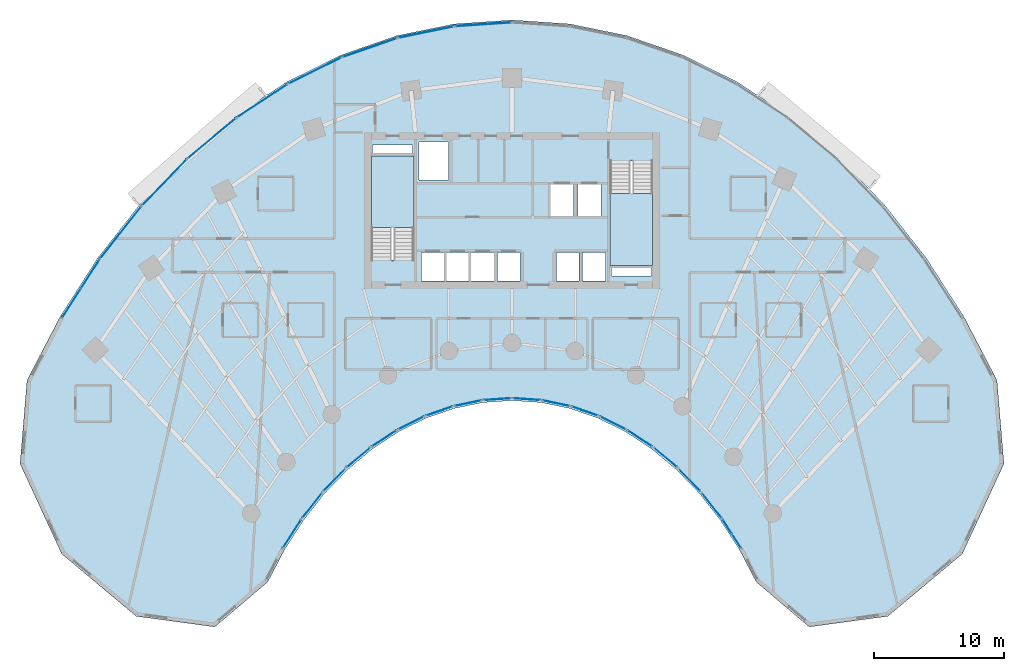
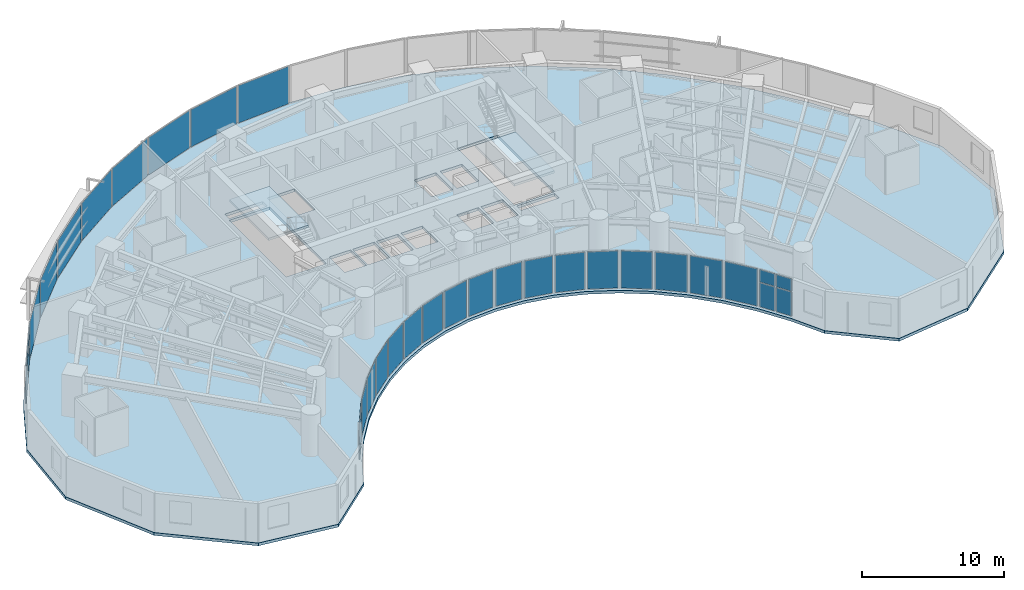
# One storey, part 9 of 17: 33 plates, 3 slabs, 29 elements without a shape of their own.
"""IFC4 building model written with IfcOpenShell, lengths in metres."""

from ifc_helpers import new_model, si_unit, direction, frame, origin, origin_2d, place, context, subcontext, project, spatial, polyline, rectangle, outline, extrude, source, transform, mapped, material, layer, layer_set, type_object, type_shapes, element, aggregate, save


model = new_model("IFC4")

# Units and contexts
model_context = context("Model", 3, precision=1e-05, world=origin(), true_north=direction((0.0, 1.0)))
body_context = subcontext(model_context, "Body", "Model", "MODEL_VIEW")
ifc_project = project(units=[si_unit("LENGTHUNIT", "METRE"), si_unit("AREAUNIT", "SQUARE_METRE"), si_unit("VOLUMEUNIT", "CUBIC_METRE"), si_unit("PLANEANGLEUNIT", "RADIAN"), si_unit("MASSUNIT", "GRAM", prefix="KILO")], contexts=[model_context])

# Site, building, storey
site_placement = place(None, origin())
site = spatial("IfcSite", under=ifc_project, at=site_placement, CompositionType="ELEMENT")
building_placement = place(site_placement, origin())
building = spatial("IfcBuilding", under=site, at=building_placement, Name="Breltana Convention Tower", CompositionType="ELEMENT")
storey_placement = place(building_placement, frame((0.0, 0.0, 78.60009765625)))
storey = spatial("IfcBuildingStorey", under=building, at=storey_placement, Name="L18", CompositionType="ELEMENT", Elevation=78.60009765625)

# Slab
ifc_material_1 = material(Name="Concrete C40/50", Category="concrete")
ifc_layer_1 = layer(ifc_material_1, 0.239990234375, Name="Concrete C40/50")
ifc_layer_set_1 = layer_set([ifc_layer_1], Name="Concrete C40/50")
slab_type_1 = type_object("IfcSlabType", Name="SL-HTL-240", PredefinedType="FLOOR", material=ifc_layer_set_1)
slab_1_placement = place(storey_placement, frame((0.0, 0.0, -0.239990234375)))
element("IfcSlab", 1, at=slab_1_placement, inside=storey, type_object=slab_type_1, Name="L18 Suspended Structural Floor Slab", PredefinedType="FLOOR", context=body_context, shape_type="SweptSolid", body=[
    extrude(outline(polyline([(85.229248046875, 53.173095703125), (82.687744140625, 58.054931640625), (79.791015625, 62.567626953125), (76.569091796875, 66.664794921875), (73.05419921875, 70.304931640625), (69.283203125, 73.450439453125), (65.2939453125, 76.069091796875), (61.1279296875, 78.134033203125), (56.827392578125, 79.62451171875), (52.436279296875, 80.52490234375), (48.0, 80.825927734375), (43.563720703125, 80.52490234375), (39.172607421875, 79.62451171875), (34.8720703125, 78.134033203125), (30.7060546875, 76.069091796875), (26.716796875, 73.450439453125), (22.94580078125, 70.304931640625), (19.430908203125, 66.664794921875), (16.208984375, 62.567626953125), (13.312255859375, 58.054931640625), (10.770751953125, 53.173095703125), (10.234619140625, 46.75927734375), (13.433837890625, 39.8388671875), (19.14697265625, 35.055419921875), (25.191162109375, 34.235595703125), (29.258056640625, 37.693115234375), (30.53759765625, 40.150634765625), (31.995849609375, 42.42236328125), (33.617919921875, 44.485107421875), (35.38720703125, 46.3173828125), (37.28564453125, 47.90087890625), (39.2939453125, 49.21923828125), (41.39111328125, 50.2587890625), (43.55615234375, 51.009033203125), (45.7666015625, 51.46240234375), (48.0, 51.614013671875), (50.2333984375, 51.46240234375), (52.44384765625, 51.009033203125), (54.60888671875, 50.2587890625), (56.7060546875, 49.21923828125), (58.71435546875, 47.90087890625), (60.61279296875, 46.3173828125), (62.382080078125, 44.485107421875), (64.004150390625, 42.42236328125), (65.46240234375, 40.150634765625), (66.741943359375, 37.693115234375), (70.808837890625, 34.235595703125), (76.85302734375, 35.055419921875), (82.566162109375, 39.8388671875), (85.765380859375, 46.75927734375), (85.229248046875, 53.173095703125)]), holes=[polyline([(37.199951171875, 62.385009765625), (40.469970703125, 62.385009765625), (40.469970703125, 70.39990234375), (37.199951171875, 70.39990234375), (37.199951171875, 62.385009765625)]), polyline([(55.530029296875, 62.0), (58.800048828125, 62.0), (58.800048828125, 70.014892578125), (55.530029296875, 70.014892578125), (55.530029296875, 62.0)]), polyline([(41.0400390625, 60.800048828125), (42.800048828125, 60.800048828125), (42.800048828125, 62.97998046875), (41.0400390625, 62.97998046875), (41.0400390625, 60.800048828125)]), polyline([(42.93994140625, 60.800048828125), (44.699951171875, 60.800048828125), (44.699951171875, 62.97998046875), (42.93994140625, 62.97998046875), (42.93994140625, 60.800048828125)]), polyline([(44.8701171875, 60.800048828125), (46.6298828125, 60.800048828125), (46.6298828125, 62.97998046875), (44.8701171875, 62.97998046875), (44.8701171875, 60.800048828125)]), polyline([(46.8701171875, 60.800048828125), (48.6298828125, 60.800048828125), (48.6298828125, 62.97998046875), (46.8701171875, 62.97998046875), (46.8701171875, 60.800048828125)]), polyline([(51.39990234375, 60.800048828125), (53.159912109375, 60.800048828125), (53.159912109375, 62.97998046875), (51.39990234375, 62.97998046875), (51.39990234375, 60.800048828125)]), polyline([(53.39990234375, 60.800048828125), (55.159912109375, 60.800048828125), (55.159912109375, 62.97998046875), (53.39990234375, 62.97998046875), (53.39990234375, 60.800048828125)]), polyline([(50.969970703125, 65.800048828125), (52.72998046875, 65.800048828125), (52.72998046875, 68.179931640625), (50.969970703125, 68.179931640625), (50.969970703125, 65.800048828125)]), polyline([(53.070068359375, 65.800048828125), (54.830078125, 65.800048828125), (54.830078125, 68.179931640625), (53.070068359375, 68.179931640625), (53.070068359375, 65.800048828125)]), polyline([(40.8798828125, 68.550048828125), (43.1201171875, 68.550048828125), (43.1201171875, 71.449951171875), (40.8798828125, 71.449951171875), (40.8798828125, 68.550048828125)]), polyline([(37.300048828125, 70.60009765625), (40.3798828125, 70.60009765625), (40.3798828125, 71.219970703125), (37.300048828125, 71.219970703125), (37.300048828125, 70.60009765625)]), polyline([(55.6201171875, 61.179931640625), (58.699951171875, 61.179931640625), (58.699951171875, 61.800048828125), (55.6201171875, 61.800048828125), (55.6201171875, 61.179931640625)])]), origin(), (0.0, 0.0, 1.0), 0.239990234375),
])

# Stair, slab
stair_type = type_object("IfcStairType", Name="ST-DOG-1560-R180", PredefinedType="HALF_TURN_STAIR", material=ifc_material_1)
stair_1_placement = place(storey_placement, origin())
stair_1 = element("IfcStair", 2, at=stair_1_placement, inside=storey, type_object=stair_type, Name="L18 Protected Core Exit Stair ST-1", PredefinedType="HALF_TURN_STAIR")
ifc_layer_2 = layer(ifc_material_1, 0.199951171875, Name="Concrete C40/50")
ifc_layer_set_2 = layer_set([ifc_layer_2], Name="Concrete C40/50")
slab_type_2 = type_object("IfcSlabType", Name="SL-STAIR-LANDING-200", PredefinedType="LANDING", material=ifc_layer_set_2)
slab_2_placement = place(storey_placement, frame((0.0, 0.0, 1.599853515625)))
slab_2 = element("IfcSlab", 3, at=slab_2_placement, type_object=slab_type_2, Name="ST-1 landing 1", PredefinedType="LANDING", context=body_context, shape_type="SweptSolid", body=[
    extrude(outline(polyline([(40.469970703125, 64.8798828125), (40.469970703125, 70.39990234375), (37.199951171875, 70.39990234375), (37.199951171875, 64.8798828125), (40.469970703125, 64.8798828125)])), origin(), (0.0, 0.0, 1.0), 0.199951171875),
])
aggregate(stair_1, [slab_2])

stair_2_placement = place(storey_placement, origin())
stair_2 = element("IfcStair", 4, at=stair_2_placement, inside=storey, type_object=stair_type, Name="L18 Protected Core Exit Stair ST-2", PredefinedType="HALF_TURN_STAIR")
slab_3_placement = place(storey_placement, frame((0.0, 0.0, 1.599853515625)))
slab_3 = element("IfcSlab", 5, at=slab_3_placement, type_object=slab_type_2, Name="ST-2 landing 1", PredefinedType="LANDING", context=body_context, shape_type="SweptSolid", body=[
    extrude(outline(polyline([(55.530029296875, 67.52001953125), (55.530029296875, 62.0), (58.800048828125, 62.0), (58.800048828125, 67.52001953125), (55.530029296875, 67.52001953125)])), origin(), (0.0, 0.0, 1.0), 0.199951171875),
])
aggregate(stair_2, [slab_3])

# Curtain wall, plates
ifc_material_2 = material(Name="Aluminium Anodised Bronze Frame", Category="aluminium")
ifc_layer_3 = layer(ifc_material_2, 0.18994140625, Name="Aluminium Anodised Bronze Frame")
ifc_layer_set_3 = layer_set([ifc_layer_3], Name="Aluminium Anodised Bronze Frame")
curtain_wall_type_1 = type_object("IfcCurtainWallType", Name="CW-SYS-1", PredefinedType="NOTDEFINED", material=ifc_layer_set_3)
curtain_wall_1_placement = place(storey_placement, origin())
curtain_wall_1 = element("IfcCurtainWall", 6, at=curtain_wall_1_placement, inside=storey, type_object=curtain_wall_type_1, Name="L18 inner south-court glazing 1", PredefinedType="NOTDEFINED")
ifc_material_3 = material(Name="Glass Low-E Double Glazing", Category="glass")
ifc_layer_4 = layer(ifc_material_3, 0.028076171875, Name="Glass Low-E Double Glazing")
ifc_layer_set_4 = layer_set([ifc_layer_4], Name="Glass Low-E Double Glazing")
plate_type_1 = type_object("IfcPlateType", Name="CWP-IGU-28", PredefinedType="CURTAIN_PANEL", material=ifc_layer_set_4)
shared_shape_1 = source(origin(), body_context, "Body", "SweptSolid", [
    extrude(rectangle(XDim=1.229736328125, YDim=0.028076171875, at=origin_2d()), origin(), (0.0, 0.0, 1.0), 2.06396484375),
])
plate_1_placement = place(storey_placement, frame((65.238525390625, 40.83251953125, 0.079833984375), z_axis=(0.0, 0.0, 1.0), x_axis=(-0.540169576197, 0.841556194767, 0.0)))
plate_1 = element("IfcPlate", 7, at=plate_1_placement, type_object=plate_type_1, Name="CW-01 panel 1.1", PredefinedType="CURTAIN_PANEL", context=body_context, shape_type="MappedRepresentation", body=[
    mapped(shared_shape_1, transform((0.0, 0.0, 0.0), scale=1.0)),
])
plate_2_placement = place(storey_placement, frame((64.531005859375, 41.934814453125, 0.079833984375), z_axis=(0.0, 0.0, 1.0), x_axis=(-0.540169576197, 0.841556194767, 0.0)))
plate_2 = element("IfcPlate", 8, at=plate_2_placement, type_object=plate_type_1, Name="CW-01 panel 2.1", PredefinedType="CURTAIN_PANEL", context=body_context, shape_type="MappedRepresentation", body=[
    mapped(shared_shape_1, transform((0.0, 0.0, 0.0), scale=1.0)),
])
shared_shape_2 = source(origin(), body_context, "Body", "SweptSolid", [
    extrude(rectangle(XDim=1.229736328125, YDim=0.028076171875, at=origin_2d()), origin(), (0.0, 0.0, 1.0), 1.055908203125),
])
plate_3_placement = place(storey_placement, frame((65.238525390625, 40.83251953125, 2.22412109375), z_axis=(0.0, 0.0, 1.0), x_axis=(-0.540169576197, 0.841556194767, 0.0)))
plate_3 = element("IfcPlate", 9, at=plate_3_placement, type_object=plate_type_1, Name="CW-01 panel 1.2", PredefinedType="CURTAIN_PANEL", context=body_context, shape_type="MappedRepresentation", body=[
    mapped(shared_shape_2, transform((0.0, 0.0, 0.0), scale=1.0)),
])
plate_4_placement = place(storey_placement, frame((64.531005859375, 41.934814453125, 2.22412109375), z_axis=(0.0, 0.0, 1.0), x_axis=(-0.540169576197, 0.841556194767, 0.0)))
plate_4 = element("IfcPlate", 10, at=plate_4_placement, type_object=plate_type_1, Name="CW-01 panel 2.2", PredefinedType="CURTAIN_PANEL", context=body_context, shape_type="MappedRepresentation", body=[
    mapped(shared_shape_2, transform((0.0, 0.0, 0.0), scale=1.0)),
])
aggregate(curtain_wall_1, [plate_1, plate_3, plate_2, plate_4])

# Curtain wall, plate
curtain_wall_2_placement = place(storey_placement, origin())
curtain_wall_2 = element("IfcCurtainWall", 11, at=curtain_wall_2_placement, inside=storey, type_object=curtain_wall_type_1, Name="L18 inner south-court glazing 2", PredefinedType="NOTDEFINED")
shared_shape_3 = source(origin(), body_context, "Body", "SweptSolid", [
    extrude(rectangle(XDim=2.464111328125, YDim=0.028076171875, at=origin_2d()), origin(), (0.0, 0.0, 1.0), 3.199951171875),
])
plate_5_placement = place(storey_placement, frame((63.334716796875, 43.56494140625, 0.080078125), z_axis=(0.0, 0.0, 1.0), x_axis=(-0.61815305034, 0.786057762734, 0.0)))
plate_5 = element("IfcPlate", 12, at=plate_5_placement, type_object=plate_type_1, Name="CW-01 panel 1.1", PredefinedType="CURTAIN_PANEL", context=body_context, shape_type="MappedRepresentation", body=[
    mapped(shared_shape_3, transform((0.0, 0.0, 0.0), scale=1.0)),
])
aggregate(curtain_wall_2, [plate_5])

curtain_wall_3_placement = place(storey_placement, origin())
curtain_wall_3 = element("IfcCurtainWall", 13, at=curtain_wall_3_placement, inside=storey, type_object=curtain_wall_type_1, Name="L18 inner south-court glazing 17", PredefinedType="NOTDEFINED")
plate_6_placement = place(storey_placement, frame((32.665283203125, 43.56494140625, 0.080078125), z_axis=(0.0, 0.0, 1.0), x_axis=(-0.61815305034, -0.786057762734, 0.0)))
plate_6 = element("IfcPlate", 14, at=plate_6_placement, type_object=plate_type_1, Name="CW-01 panel 1.1", PredefinedType="CURTAIN_PANEL", context=body_context, shape_type="MappedRepresentation", body=[
    mapped(shared_shape_3, transform((0.0, 0.0, 0.0), scale=1.0)),
])
aggregate(curtain_wall_3, [plate_6])

curtain_wall_4_placement = place(storey_placement, origin())
curtain_wall_4 = element("IfcCurtainWall", 15, at=curtain_wall_4_placement, inside=storey, type_object=curtain_wall_type_1, Name="L18 inner south-court glazing 3", PredefinedType="NOTDEFINED")
shared_shape_4 = source(origin(), body_context, "Body", "SweptSolid", [
    extrude(rectangle(XDim=2.38720703125, YDim=0.028076171875, at=origin_2d()), origin(), (0.0, 0.0, 1.0), 3.199951171875),
])
plate_7_placement = place(storey_placement, frame((61.626953125, 45.5263671875, 0.080078125), z_axis=(0.0, 0.0, 1.0), x_axis=(-0.694612029111, 0.719384548773, 0.0)))
plate_7 = element("IfcPlate", 16, at=plate_7_placement, type_object=plate_type_1, Name="CW-01 panel 1.1", PredefinedType="CURTAIN_PANEL", context=body_context, shape_type="MappedRepresentation", body=[
    mapped(shared_shape_4, transform((0.0, 0.0, 0.0), scale=1.0)),
])
aggregate(curtain_wall_4, [plate_7])

curtain_wall_5_placement = place(storey_placement, origin())
curtain_wall_5 = element("IfcCurtainWall", 17, at=curtain_wall_5_placement, inside=storey, type_object=curtain_wall_type_1, Name="L18 inner south-court glazing 16", PredefinedType="NOTDEFINED")
plate_8_placement = place(storey_placement, frame((34.373046875, 45.5263671875, 0.080078125), z_axis=(0.0, 0.0, 1.0), x_axis=(-0.694612029111, -0.719384548773, 0.0)))
plate_8 = element("IfcPlate", 18, at=plate_8_placement, type_object=plate_type_1, Name="CW-01 panel 1.1", PredefinedType="CURTAIN_PANEL", context=body_context, shape_type="MappedRepresentation", body=[
    mapped(shared_shape_4, transform((0.0, 0.0, 0.0), scale=1.0)),
])
aggregate(curtain_wall_5, [plate_8])

curtain_wall_6_placement = place(storey_placement, origin())
curtain_wall_6 = element("IfcCurtainWall", 19, at=curtain_wall_6_placement, inside=storey, type_object=curtain_wall_type_1, Name="L18 inner south-court glazing 4", PredefinedType="NOTDEFINED")
shared_shape_5 = source(origin(), body_context, "Body", "SweptSolid", [
    extrude(rectangle(XDim=2.312255859375, YDim=0.028076171875, at=origin_2d()), origin(), (0.0, 0.0, 1.0), 3.199951171875),
])
plate_9_placement = place(storey_placement, frame((59.77880859375, 47.24755859375, 0.080078125), z_axis=(0.0, 0.0, 1.0), x_axis=(-0.767939382804, 0.640522524458, 0.0)))
plate_9 = element("IfcPlate", 20, at=plate_9_placement, type_object=plate_type_1, Name="CW-01 panel 1.1", PredefinedType="CURTAIN_PANEL", context=body_context, shape_type="MappedRepresentation", body=[
    mapped(shared_shape_5, transform((0.0, 0.0, 0.0), scale=1.0)),
])
aggregate(curtain_wall_6, [plate_9])

curtain_wall_7_placement = place(storey_placement, origin())
curtain_wall_7 = element("IfcCurtainWall", 21, at=curtain_wall_7_placement, inside=storey, type_object=curtain_wall_type_1, Name="L18 inner south-court glazing 15", PredefinedType="NOTDEFINED")
plate_10_placement = place(storey_placement, frame((36.22119140625, 47.24755859375, 0.080078125), z_axis=(0.0, 0.0, 1.0), x_axis=(-0.767939382804, -0.640522524458, 0.0)))
plate_10 = element("IfcPlate", 22, at=plate_10_placement, type_object=plate_type_1, Name="CW-01 panel 1.1", PredefinedType="CURTAIN_PANEL", context=body_context, shape_type="MappedRepresentation", body=[
    mapped(shared_shape_5, transform((0.0, 0.0, 0.0), scale=1.0)),
])
aggregate(curtain_wall_7, [plate_10])

curtain_wall_8_placement = place(storey_placement, origin())
curtain_wall_8 = element("IfcCurtainWall", 23, at=curtain_wall_8_placement, inside=storey, type_object=curtain_wall_type_1, Name="L18 inner south-court glazing 5", PredefinedType="NOTDEFINED")
shared_shape_6 = source(origin(), body_context, "Body", "SweptSolid", [
    extrude(rectangle(XDim=2.2421875, YDim=0.028076171875, at=origin_2d()), origin(), (0.0, 0.0, 1.0), 3.199951171875),
])
plate_11_placement = place(storey_placement, frame((57.80908203125, 48.710693359375, 0.080078125), z_axis=(0.0, 0.0, 1.0), x_axis=(-0.835967942634, 0.548778278441, 0.0)))
plate_11 = element("IfcPlate", 24, at=plate_11_placement, type_object=plate_type_1, Name="CW-01 panel 1.1", PredefinedType="CURTAIN_PANEL", context=body_context, shape_type="MappedRepresentation", body=[
    mapped(shared_shape_6, transform((0.0, 0.0, 0.0), scale=1.0)),
])
aggregate(curtain_wall_8, [plate_11])

curtain_wall_9_placement = place(storey_placement, origin())
curtain_wall_9 = element("IfcCurtainWall", 25, at=curtain_wall_9_placement, inside=storey, type_object=curtain_wall_type_1, Name="L18 inner south-court glazing 14", PredefinedType="NOTDEFINED")
plate_12_placement = place(storey_placement, frame((38.19091796875, 48.710693359375, 0.080078125), z_axis=(0.0, 0.0, 1.0), x_axis=(-0.835967942634, -0.548778278441, 0.0)))
plate_12 = element("IfcPlate", 26, at=plate_12_placement, type_object=plate_type_1, Name="CW-01 panel 1.1", PredefinedType="CURTAIN_PANEL", context=body_context, shape_type="MappedRepresentation", body=[
    mapped(shared_shape_6, transform((0.0, 0.0, 0.0), scale=1.0)),
])
aggregate(curtain_wall_9, [plate_12])

curtain_wall_10_placement = place(storey_placement, origin())
curtain_wall_10 = element("IfcCurtainWall", 27, at=curtain_wall_10_placement, inside=storey, type_object=curtain_wall_type_1, Name="L18 inner south-court glazing 6", PredefinedType="NOTDEFINED")
shared_shape_7 = source(origin(), body_context, "Body", "SweptSolid", [
    extrude(rectangle(XDim=2.180908203125, YDim=0.028076171875, at=origin_2d()), origin(), (0.0, 0.0, 1.0), 3.199951171875),
])
plate_13_placement = place(storey_placement, frame((55.7373046875, 49.900390625, 0.080078125), z_axis=(0.0, 0.0, 1.0), x_axis=(-0.895968310315, 0.444117987602, 0.0)))
plate_13 = element("IfcPlate", 28, at=plate_13_placement, type_object=plate_type_1, Name="CW-01 panel 1.1", PredefinedType="CURTAIN_PANEL", context=body_context, shape_type="MappedRepresentation", body=[
    mapped(shared_shape_7, transform((0.0, 0.0, 0.0), scale=1.0)),
])
aggregate(curtain_wall_10, [plate_13])

curtain_wall_11_placement = place(storey_placement, origin())
curtain_wall_11 = element("IfcCurtainWall", 29, at=curtain_wall_11_placement, inside=storey, type_object=curtain_wall_type_1, Name="L18 inner south-court glazing 13", PredefinedType="NOTDEFINED")
plate_14_placement = place(storey_placement, frame((40.2626953125, 49.900390625, 0.080078125), z_axis=(0.0, 0.0, 1.0), x_axis=(-0.895968310315, -0.444117987602, 0.0)))
plate_14 = element("IfcPlate", 30, at=plate_14_placement, type_object=plate_type_1, Name="CW-01 panel 1.1", PredefinedType="CURTAIN_PANEL", context=body_context, shape_type="MappedRepresentation", body=[
    mapped(shared_shape_7, transform((0.0, 0.0, 0.0), scale=1.0)),
])
aggregate(curtain_wall_11, [plate_14])

curtain_wall_12_placement = place(storey_placement, origin())
curtain_wall_12 = element("IfcCurtainWall", 31, at=curtain_wall_12_placement, inside=storey, type_object=curtain_wall_type_1, Name="L18 inner south-court glazing 7", PredefinedType="NOTDEFINED")
shared_shape_8 = source(origin(), body_context, "Body", "SweptSolid", [
    extrude(rectangle(XDim=2.13134765625, YDim=0.028076171875, at=origin_2d()), origin(), (0.0, 0.0, 1.0), 3.199951171875),
])
plate_15_placement = place(storey_placement, frame((53.585205078125, 50.80419921875, 0.080078125), z_axis=(0.0, 0.0, 1.0), x_axis=(-0.944881211406, 0.327413341714, 0.0)))
plate_15 = element("IfcPlate", 32, at=plate_15_placement, type_object=plate_type_1, Name="CW-01 panel 1.1", PredefinedType="CURTAIN_PANEL", context=body_context, shape_type="MappedRepresentation", body=[
    mapped(shared_shape_8, transform((0.0, 0.0, 0.0), scale=1.0)),
])
aggregate(curtain_wall_12, [plate_15])

curtain_wall_13_placement = place(storey_placement, origin())
curtain_wall_13 = element("IfcCurtainWall", 33, at=curtain_wall_13_placement, inside=storey, type_object=curtain_wall_type_1, Name="L18 inner south-court glazing 12", PredefinedType="NOTDEFINED")
plate_16_placement = place(storey_placement, frame((42.414794921875, 50.80419921875, 0.080078125), z_axis=(0.0, 0.0, 1.0), x_axis=(-0.944881211406, -0.327413341714, 0.0)))
plate_16 = element("IfcPlate", 34, at=plate_16_placement, type_object=plate_type_1, Name="CW-01 panel 1.1", PredefinedType="CURTAIN_PANEL", context=body_context, shape_type="MappedRepresentation", body=[
    mapped(shared_shape_8, transform((0.0, 0.0, 0.0), scale=1.0)),
])
aggregate(curtain_wall_13, [plate_16])

curtain_wall_14_placement = place(storey_placement, origin())
curtain_wall_14 = element("IfcCurtainWall", 35, at=curtain_wall_14_placement, inside=storey, type_object=curtain_wall_type_1, Name="L18 inner south-court glazing 8", PredefinedType="NOTDEFINED")
shared_shape_9 = source(origin(), body_context, "Body", "SweptSolid", [
    extrude(rectangle(XDim=2.096435546875, YDim=0.028076171875, at=origin_2d()), origin(), (0.0, 0.0, 1.0), 3.199951171875),
])
plate_17_placement = place(storey_placement, frame((51.374755859375, 51.412109375, 0.080078125), z_axis=(0.0, 0.0, 1.0), x_axis=(-0.97961455393, 0.200886350278, 0.0)))
plate_17 = element("IfcPlate", 36, at=plate_17_placement, type_object=plate_type_1, Name="CW-01 panel 1.1", PredefinedType="CURTAIN_PANEL", context=body_context, shape_type="MappedRepresentation", body=[
    mapped(shared_shape_9, transform((0.0, 0.0, 0.0), scale=1.0)),
])
aggregate(curtain_wall_14, [plate_17])

curtain_wall_15_placement = place(storey_placement, origin())
curtain_wall_15 = element("IfcCurtainWall", 37, at=curtain_wall_15_placement, inside=storey, type_object=curtain_wall_type_1, Name="L18 inner south-court glazing 11", PredefinedType="NOTDEFINED")
plate_18_placement = place(storey_placement, frame((44.625244140625, 51.412109375, 0.080078125), z_axis=(0.0, 0.0, 1.0), x_axis=(-0.97961455393, -0.200886350278, 0.0)))
plate_18 = element("IfcPlate", 38, at=plate_18_placement, type_object=plate_type_1, Name="CW-01 panel 1.1", PredefinedType="CURTAIN_PANEL", context=body_context, shape_type="MappedRepresentation", body=[
    mapped(shared_shape_9, transform((0.0, 0.0, 0.0), scale=1.0)),
])
aggregate(curtain_wall_15, [plate_18])

curtain_wall_16_placement = place(storey_placement, origin())
curtain_wall_16 = element("IfcCurtainWall", 39, at=curtain_wall_16_placement, inside=storey, type_object=curtain_wall_type_1, Name="L18 inner south-court glazing 9", PredefinedType="NOTDEFINED")
shared_shape_10 = source(origin(), body_context, "Body", "SweptSolid", [
    extrude(rectangle(XDim=2.078369140625, YDim=0.028076171875, at=origin_2d()), origin(), (0.0, 0.0, 1.0), 3.199951171875),
])
plate_19_placement = place(storey_placement, frame((49.12890625, 51.7177734375, 0.080078125), z_axis=(0.0, 0.0, 1.0), x_axis=(-0.997703975371, 0.067725752326, 0.0)))
plate_19 = element("IfcPlate", 40, at=plate_19_placement, type_object=plate_type_1, Name="CW-01 panel 1.1", PredefinedType="CURTAIN_PANEL", context=body_context, shape_type="MappedRepresentation", body=[
    mapped(shared_shape_10, transform((0.0, 0.0, 0.0), scale=1.0)),
])
aggregate(curtain_wall_16, [plate_19])

curtain_wall_17_placement = place(storey_placement, origin())
curtain_wall_17 = element("IfcCurtainWall", 41, at=curtain_wall_17_placement, inside=storey, type_object=curtain_wall_type_1, Name="L18 inner south-court glazing 10", PredefinedType="NOTDEFINED")
plate_20_placement = place(storey_placement, frame((46.87109375, 51.7177734375, 0.080078125), z_axis=(0.0, 0.0, 1.0), x_axis=(-0.997703975371, -0.067725752326, 0.0)))
plate_20 = element("IfcPlate", 42, at=plate_20_placement, type_object=plate_type_1, Name="CW-01 panel 1.1", PredefinedType="CURTAIN_PANEL", context=body_context, shape_type="MappedRepresentation", body=[
    mapped(shared_shape_10, transform((0.0, 0.0, 0.0), scale=1.0)),
])
aggregate(curtain_wall_17, [plate_20])

curtain_wall_18_placement = place(storey_placement, origin())
curtain_wall_18 = element("IfcCurtainWall", 43, at=curtain_wall_18_placement, inside=storey, type_object=curtain_wall_type_1, Name="L18 inner south-court glazing 18", PredefinedType="NOTDEFINED")
shared_shape_11 = source(origin(), body_context, "Body", "SweptSolid", [
    extrude(rectangle(XDim=2.53955078125, YDim=0.028076171875, at=origin_2d()), origin(), (0.0, 0.0, 1.0), 3.199951171875),
])
plate_21_placement = place(storey_placement, frame((31.115234375, 41.3837890625, 0.080078125), z_axis=(0.0, 0.0, 1.0), x_axis=(-0.540169576197, -0.841556194767, 0.0)))
plate_21 = element("IfcPlate", 44, at=plate_21_placement, type_object=plate_type_1, Name="CW-01 panel 1.1", PredefinedType="CURTAIN_PANEL", context=body_context, shape_type="MappedRepresentation", body=[
    mapped(shared_shape_11, transform((0.0, 0.0, 0.0), scale=1.0)),
])
aggregate(curtain_wall_18, [plate_21])

# Curtain wall, plates
ifc_layer_5 = layer(ifc_material_2, 0.199951171875, Name="Aluminium Anodised Bronze Frame")
ifc_layer_set_5 = layer_set([ifc_layer_5], Name="Aluminium Anodised Bronze Frame")
curtain_wall_type_2 = type_object("IfcCurtainWallType", Name="CW-SYS-2", PredefinedType="NOTDEFINED", material=ifc_layer_set_5)
curtain_wall_19_placement = place(storey_placement, origin())
curtain_wall_19 = element("IfcCurtainWall", 45, at=curtain_wall_19_placement, inside=storey, type_object=curtain_wall_type_2, Name="L18 outer double-skin inner glazing 1", PredefinedType="NOTDEFINED")
ifc_layer_6 = layer(ifc_material_3, 0.031982421875, Name="Glass Low-E Double Glazing")
ifc_layer_set_6 = layer_set([ifc_layer_6], Name="Glass Low-E Double Glazing")
plate_type_2 = type_object("IfcPlateType", Name="CWP-IGU-32", PredefinedType="CURTAIN_PANEL", material=ifc_layer_set_6)
shared_shape_12 = source(origin(), body_context, "Body", "SweptSolid", [
    extrude(rectangle(XDim=2.56787109375, YDim=0.031982421875, at=origin_2d()), origin(), (0.0, 0.0, 1.0), 2.0791015625),
])
type_shapes(plate_type_2, [shared_shape_12])
plate_22_placement = place(storey_placement, frame((14.199462890625, 59.103759765625, 0.06982421875), z_axis=(0.0, 0.0, 1.0), x_axis=(0.540180724109, 0.841549039154, 0.0)))
plate_22 = element("IfcPlate", 46, at=plate_22_placement, type_object=plate_type_2, Name="CW-02 panel 1.1", PredefinedType="CURTAIN_PANEL", context=body_context, shape_type="MappedRepresentation", body=[
    mapped(shared_shape_12, transform((0.0, 0.0, 0.0), scale=1.0)),
])
plate_23_placement = place(storey_placement, frame((15.624267578125, 61.32373046875, 0.06982421875), z_axis=(0.0, 0.0, 1.0), x_axis=(0.540180724109, 0.841549039154, 0.0)))
plate_23 = element("IfcPlate", 47, at=plate_23_placement, type_object=plate_type_2, Name="CW-02 panel 2.1", PredefinedType="CURTAIN_PANEL", context=body_context, shape_type="MappedRepresentation", body=[
    mapped(shared_shape_12, transform((0.0, 0.0, 0.0), scale=1.0)),
])
shared_shape_13 = source(origin(), body_context, "Body", "SweptSolid", [
    extrude(rectangle(XDim=2.56787109375, YDim=0.031982421875, at=origin_2d()), origin(), (0.0, 0.0, 1.0), 1.071044921875),
])
plate_24_placement = place(storey_placement, frame((14.199462890625, 59.103759765625, 2.21875), z_axis=(0.0, 0.0, 1.0), x_axis=(0.540180724109, 0.841549039154, 0.0)))
plate_24 = element("IfcPlate", 48, at=plate_24_placement, type_object=plate_type_2, Name="CW-02 panel 1.2", PredefinedType="CURTAIN_PANEL", context=body_context, shape_type="MappedRepresentation", body=[
    mapped(shared_shape_13, transform((0.0, 0.0, 0.0), scale=1.0)),
])
plate_25_placement = place(storey_placement, frame((15.624267578125, 61.32373046875, 2.21875), z_axis=(0.0, 0.0, 1.0), x_axis=(0.540180724109, 0.841549039154, 0.0)))
plate_25 = element("IfcPlate", 49, at=plate_25_placement, type_object=plate_type_2, Name="CW-02 panel 2.2", PredefinedType="CURTAIN_PANEL", context=body_context, shape_type="MappedRepresentation", body=[
    mapped(shared_shape_13, transform((0.0, 0.0, 0.0), scale=1.0)),
])
aggregate(curtain_wall_19, [plate_22, plate_24, plate_23, plate_25])

# Curtain wall, plate
curtain_wall_20_placement = place(storey_placement, origin())
curtain_wall_20 = element("IfcCurtainWall", 50, at=curtain_wall_20_placement, inside=storey, type_object=curtain_wall_type_2, Name="L18 outer double-skin inner glazing 2", PredefinedType="NOTDEFINED")
shared_shape_14 = source(origin(), body_context, "Body", "SweptSolid", [
    extrude(rectangle(XDim=5.0546875, YDim=0.031982421875, at=origin_2d()), origin(), (0.0, 0.0, 1.0), 3.219970703125),
])
plate_26_placement = place(storey_placement, frame((17.961181640625, 64.504638671875, 0.06982421875), z_axis=(0.0, 0.0, 1.0), x_axis=(0.618153917633, 0.786057080698, 0.0)))
plate_26 = element("IfcPlate", 51, at=plate_26_placement, type_object=plate_type_2, Name="CW-02 panel 1.1", PredefinedType="CURTAIN_PANEL", context=body_context, shape_type="MappedRepresentation", body=[
    mapped(shared_shape_14, transform((0.0, 0.0, 0.0), scale=1.0)),
])
aggregate(curtain_wall_20, [plate_26])

curtain_wall_21_placement = place(storey_placement, origin())
curtain_wall_21 = element("IfcCurtainWall", 52, at=curtain_wall_21_placement, inside=storey, type_object=curtain_wall_type_2, Name="L18 outer double-skin inner glazing 3", PredefinedType="NOTDEFINED")
shared_shape_15 = source(origin(), body_context, "Body", "SweptSolid", [
    extrude(rectangle(XDim=4.901123046875, YDim=0.031982421875, at=origin_2d()), origin(), (0.0, 0.0, 1.0), 3.219970703125),
])
plate_27_placement = place(storey_placement, frame((21.317626953125, 68.359619140625, 0.06982421875), z_axis=(0.0, 0.0, 1.0), x_axis=(0.694610090106, 0.719386421003, 0.0)))
plate_27 = element("IfcPlate", 53, at=plate_27_placement, type_object=plate_type_2, Name="CW-02 panel 1.1", PredefinedType="CURTAIN_PANEL", context=body_context, shape_type="MappedRepresentation", body=[
    mapped(shared_shape_15, transform((0.0, 0.0, 0.0), scale=1.0)),
])
aggregate(curtain_wall_21, [plate_27])

curtain_wall_22_placement = place(storey_placement, origin())
curtain_wall_22 = element("IfcCurtainWall", 54, at=curtain_wall_22_placement, inside=storey, type_object=curtain_wall_type_2, Name="L18 outer double-skin inner glazing 4", PredefinedType="NOTDEFINED")
shared_shape_16 = source(origin(), body_context, "Body", "SweptSolid", [
    extrude(rectangle(XDim=4.7509765625, YDim=0.031982421875, at=origin_2d()), origin(), (0.0, 0.0, 1.0), 3.219970703125),
])
plate_28_placement = place(storey_placement, frame((24.9462890625, 71.7392578125, 0.06982421875), z_axis=(0.0, 0.0, 1.0), x_axis=(0.767941326958, 0.640520193554, 0.0)))
plate_28 = element("IfcPlate", 55, at=plate_28_placement, type_object=plate_type_2, Name="CW-02 panel 1.1", PredefinedType="CURTAIN_PANEL", context=body_context, shape_type="MappedRepresentation", body=[
    mapped(shared_shape_16, transform((0.0, 0.0, 0.0), scale=1.0)),
])
aggregate(curtain_wall_22, [plate_28])

curtain_wall_23_placement = place(storey_placement, origin())
curtain_wall_23 = element("IfcCurtainWall", 56, at=curtain_wall_23_placement, inside=storey, type_object=curtain_wall_type_2, Name="L18 outer double-skin inner glazing 5", PredefinedType="NOTDEFINED")
shared_shape_17 = source(origin(), body_context, "Body", "SweptSolid", [
    extrude(rectangle(XDim=4.610595703125, YDim=0.031982421875, at=origin_2d()), origin(), (0.0, 0.0, 1.0), 3.219970703125),
])
plate_29_placement = place(storey_placement, frame((28.81005859375, 74.609130859375, 0.06982421875), z_axis=(0.0, 0.0, 1.0), x_axis=(0.83596401875, 0.548784255746, 0.0)))
plate_29 = element("IfcPlate", 57, at=plate_29_placement, type_object=plate_type_2, Name="CW-02 panel 1.1", PredefinedType="CURTAIN_PANEL", context=body_context, shape_type="MappedRepresentation", body=[
    mapped(shared_shape_17, transform((0.0, 0.0, 0.0), scale=1.0)),
])
aggregate(curtain_wall_23, [plate_29])

curtain_wall_24_placement = place(storey_placement, origin())
curtain_wall_24 = element("IfcCurtainWall", 58, at=curtain_wall_24_placement, inside=storey, type_object=curtain_wall_type_2, Name="L18 outer double-skin inner glazing 6", PredefinedType="NOTDEFINED")
shared_shape_18 = source(origin(), body_context, "Body", "SweptSolid", [
    extrude(rectangle(XDim=4.487548828125, YDim=0.031982421875, at=origin_2d()), origin(), (0.0, 0.0, 1.0), 3.219970703125),
])
plate_30_placement = place(storey_placement, frame((32.86865234375, 76.940185546875, 0.06982421875), z_axis=(0.0, 0.0, 1.0), x_axis=(0.895973407804, 0.444107703726, 0.0)))
plate_30 = element("IfcPlate", 59, at=plate_30_placement, type_object=plate_type_2, Name="CW-02 panel 1.1", PredefinedType="CURTAIN_PANEL", context=body_context, shape_type="MappedRepresentation", body=[
    mapped(shared_shape_18, transform((0.0, 0.0, 0.0), scale=1.0)),
])
aggregate(curtain_wall_24, [plate_30])

curtain_wall_25_placement = place(storey_placement, origin())
curtain_wall_25 = element("IfcCurtainWall", 60, at=curtain_wall_25_placement, inside=storey, type_object=curtain_wall_type_2, Name="L18 outer double-skin inner glazing 7", PredefinedType="NOTDEFINED")
shared_shape_19 = source(origin(), body_context, "Body", "SweptSolid", [
    extrude(rectangle(XDim=4.388427734375, YDim=0.031982421875, at=origin_2d()), origin(), (0.0, 0.0, 1.0), 3.219970703125),
])
plate_31_placement = place(storey_placement, frame((37.0810546875, 78.709228515625, 0.06982421875), z_axis=(0.0, 0.0, 1.0), x_axis=(0.944876012163, 0.32742834581, 0.0)))
plate_31 = element("IfcPlate", 61, at=plate_31_placement, type_object=plate_type_2, Name="CW-02 panel 1.1", PredefinedType="CURTAIN_PANEL", context=body_context, shape_type="MappedRepresentation", body=[
    mapped(shared_shape_19, transform((0.0, 0.0, 0.0), scale=1.0)),
])
aggregate(curtain_wall_25, [plate_31])

curtain_wall_26_placement = place(storey_placement, origin())
curtain_wall_26 = element("IfcCurtainWall", 62, at=curtain_wall_26_placement, inside=storey, type_object=curtain_wall_type_2, Name="L18 outer double-skin inner glazing 8", PredefinedType="NOTDEFINED")
shared_shape_20 = source(origin(), body_context, "Body", "SweptSolid", [
    extrude(rectangle(XDim=4.318359375, YDim=0.031982421875, at=origin_2d()), origin(), (0.0, 0.0, 1.0), 3.219970703125),
])
plate_32_placement = place(storey_placement, frame((41.404296875, 79.898193359375, 0.06982421875), z_axis=(0.0, 0.0, 1.0), x_axis=(0.979614925743, 0.200884537139, 0.0)))
plate_32 = element("IfcPlate", 63, at=plate_32_placement, type_object=plate_type_2, Name="CW-02 panel 1.1", PredefinedType="CURTAIN_PANEL", context=body_context, shape_type="MappedRepresentation", body=[
    mapped(shared_shape_20, transform((0.0, 0.0, 0.0), scale=1.0)),
])
aggregate(curtain_wall_26, [plate_32])

curtain_wall_27_placement = place(storey_placement, origin())
curtain_wall_27 = element("IfcCurtainWall", 64, at=curtain_wall_27_placement, inside=storey, type_object=curtain_wall_type_2, Name="L18 outer double-skin inner glazing 9", PredefinedType="NOTDEFINED")
shared_shape_21 = source(origin(), body_context, "Body", "SweptSolid", [
    extrude(rectangle(XDim=4.2822265625, YDim=0.031982421875, at=origin_2d()), origin(), (0.0, 0.0, 1.0), 3.219970703125),
])
plate_33_placement = place(storey_placement, frame((45.7939453125, 80.495849609375, 0.06982421875), z_axis=(0.0, 0.0, 1.0), x_axis=(0.997703982282, 0.067725650529, 0.0)))
plate_33 = element("IfcPlate", 65, at=plate_33_placement, type_object=plate_type_2, Name="CW-02 panel 1.1", PredefinedType="CURTAIN_PANEL", context=body_context, shape_type="MappedRepresentation", body=[
    mapped(shared_shape_21, transform((0.0, 0.0, 0.0), scale=1.0)),
])
aggregate(curtain_wall_27, [plate_33])

save(model, "model.ifc")
